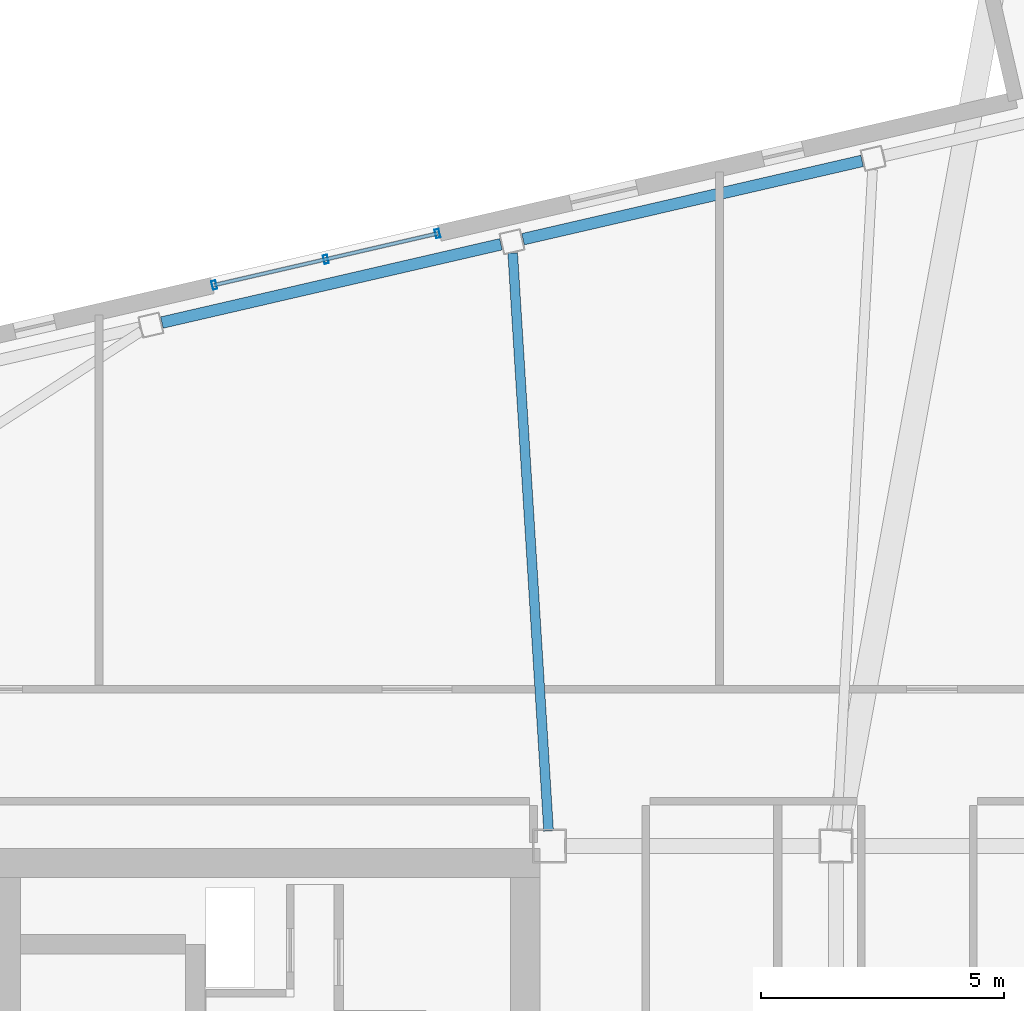
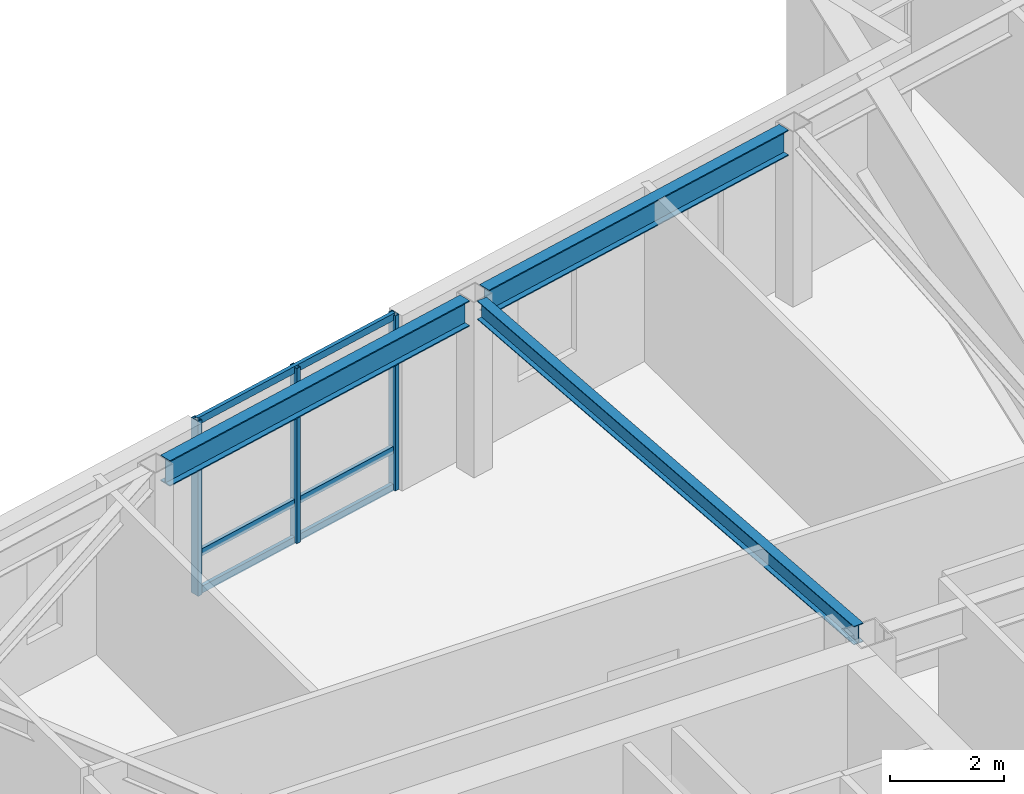
# One storey, part 13 of 24: 6 members, 3 beams, 1 element without a shape of its own.
"""IFC4 building model written with IfcOpenShell, lengths in metres."""

from ifc_helpers import new_model, si_unit, direction, frame, origin, origin_2d, place, context, subcontext, project, spatial, hollow_rectangle, i_section, extrude, material, layer, layer_set, material_profile, profile_set, type_object, element, aggregate, save


model = new_model("IFC4")

# Units and contexts
model_context = context("Model", 3, precision=1e-05, world=origin(), true_north=direction((0.0, 1.0)))
body_context = subcontext(model_context, "Body", "Model", "MODEL_VIEW")
ifc_project = project(units=[si_unit("LENGTHUNIT", "METRE"), si_unit("AREAUNIT", "SQUARE_METRE"), si_unit("VOLUMEUNIT", "CUBIC_METRE"), si_unit("PLANEANGLEUNIT", "RADIAN"), si_unit("MASSUNIT", "GRAM", prefix="KILO")], contexts=[model_context])

# Site, building, storey
site_placement = place(None, origin())
site = spatial("IfcSite", under=ifc_project, at=site_placement, CompositionType="ELEMENT")
building_placement = place(site_placement, origin())
building = spatial("IfcBuilding", under=site, at=building_placement, Name="Tavrogorsk Clinical Tower", CompositionType="ELEMENT")
storey_placement = place(building_placement, frame((0.0, 0.0, 309.0)))
storey = spatial("IfcBuildingStorey", under=building, at=storey_placement, Name="L72", CompositionType="ELEMENT", Elevation=309.0)

# Curtain wall, members
ifc_material_1 = material(Name="Anodised aluminium and triple IGU glazing", Category="aluminium")
ifc_layer = layer(ifc_material_1, 0.179931640625)
ifc_layer_set = layer_set([ifc_layer], Name="Anodised aluminium and triple IGU glazing")
curtain_wall_type = type_object("IfcCurtainWallType", Name="CW2_NorthSlot", PredefinedType="NOTDEFINED", material=ifc_layer_set)
curtain_wall_placement = place(storey_placement, origin())
curtain_wall = element("IfcCurtainWall", 1, at=curtain_wall_placement, inside=storey, type_object=curtain_wall_type, Name="L72 Curtain Wall CW-L72-N-SLOT-1", PredefinedType="NOTDEFINED")
ifc_material_2 = material(Name="Anodised aluminium alloy AW-6060", Category="aluminium")
ifc_material_profile_1 = material_profile(ifc_material_2, hollow_rectangle(XDim=0.090087890625, YDim=0.179931640625, WallThickness=0.00634765625, at=origin_2d()), Name="RHS-180x90x6.3")
ifc_profile_set_1 = profile_set([ifc_material_profile_1], Name="Anodised aluminium alloy AW-6060")
member_type_1 = type_object("IfcMemberType", Name="CwMullion_180x90", PredefinedType="MULLION", material=ifc_profile_set_1)
member_1_placement = place(storey_placement, frame((-12.608154296875, 18.9658203125, 0.0), z_axis=(0.0, 0.0, 1.0), x_axis=(-0.974370057377, -0.224951086434, 0.0)))
member_1 = element("IfcMember", 2, at=member_1_placement, type_object=member_type_1, Name="CW-L72-N-SLOT-1 Mullion 1", PredefinedType="MULLION", context=body_context, shape_type="SweptSolid", body=[
    extrude(hollow_rectangle(XDim=0.090087890625, YDim=0.179931640625, WallThickness=0.00634765625, at=origin_2d()), origin(), (0.0, 0.0, 1.0), 3.739990234375),
])
member_2_placement = place(storey_placement, frame((-14.90673828125, 18.435302734375, 0.0), z_axis=(0.0, 0.0, 1.0), x_axis=(-0.974370057377, -0.224951086434, 0.0)))
member_2 = element("IfcMember", 3, at=member_2_placement, type_object=member_type_1, Name="CW-L72-N-SLOT-1 Mullion 2", PredefinedType="MULLION", context=body_context, shape_type="SweptSolid", body=[
    extrude(hollow_rectangle(XDim=0.090087890625, YDim=0.179931640625, WallThickness=0.00634765625, at=origin_2d()), origin(), (0.0, 0.0, 1.0), 3.739990234375),
])
member_3_placement = place(storey_placement, frame((-17.205322265625, 17.904541015625, 0.0), z_axis=(0.0, 0.0, 1.0), x_axis=(-0.974370057377, -0.224951086434, 0.0)))
member_3 = element("IfcMember", 4, at=member_3_placement, type_object=member_type_1, Name="CW-L72-N-SLOT-1 Mullion 3", PredefinedType="MULLION", context=body_context, shape_type="SweptSolid", body=[
    extrude(hollow_rectangle(XDim=0.090087890625, YDim=0.179931640625, WallThickness=0.00634765625, at=origin_2d()), origin(), (0.0, 0.0, 1.0), 3.739990234375),
])
ifc_material_3 = material(Name="Anodised aluminium alloy AW-6060", Category="aluminium")
ifc_material_profile_2 = material_profile(ifc_material_3, hollow_rectangle(XDim=0.074951171875, YDim=0.14990234375, WallThickness=0.0048828125, at=origin_2d()), Name="RHS-150x75x5")
ifc_profile_set_2 = profile_set([ifc_material_profile_2], Name="Anodised aluminium alloy AW-6060")
member_type_2 = type_object("IfcMemberType", Name="CwTransom_150x75", PredefinedType="USERDEFINED", material=ifc_profile_set_2)
member_4_placement = place(storey_placement, frame((-12.608154296875, 18.9658203125, 0.050048828125), z_axis=(-0.974372877948, -0.22493886885, 0.0), x_axis=(0.22493886885, -0.974372877948, 0.0)))
member_4 = element("IfcMember", 5, at=member_4_placement, type_object=member_type_2, Name="CW-L72-N-SLOT-1 Transom 1", ObjectType="TRANSOM", PredefinedType="USERDEFINED", context=body_context, shape_type="SweptSolid", body=[
    extrude(hollow_rectangle(XDim=0.074951171875, YDim=0.14990234375, WallThickness=0.0048828125, at=origin_2d()), origin(), (0.0, 0.0, 1.0), 4.718017578125),
])
member_5_placement = place(storey_placement, frame((-12.608154296875, 18.9658203125, 0.85009765625), z_axis=(-0.974372877948, -0.22493886885, 0.0), x_axis=(0.22493886885, -0.974372877948, 0.0)))
member_5 = element("IfcMember", 6, at=member_5_placement, type_object=member_type_2, Name="CW-L72-N-SLOT-1 Transom 2", ObjectType="TRANSOM", PredefinedType="USERDEFINED", context=body_context, shape_type="SweptSolid", body=[
    extrude(hollow_rectangle(XDim=0.074951171875, YDim=0.14990234375, WallThickness=0.0048828125, at=origin_2d()), origin(), (0.0, 0.0, 1.0), 4.718017578125),
])
member_6_placement = place(storey_placement, frame((-12.608154296875, 18.9658203125, 3.68994140625), z_axis=(-0.974372877948, -0.22493886885, 0.0), x_axis=(0.22493886885, -0.974372877948, 0.0)))
member_6 = element("IfcMember", 7, at=member_6_placement, type_object=member_type_2, Name="CW-L72-N-SLOT-1 Transom 3", ObjectType="TRANSOM", PredefinedType="USERDEFINED", context=body_context, shape_type="SweptSolid", body=[
    extrude(hollow_rectangle(XDim=0.074951171875, YDim=0.14990234375, WallThickness=0.0048828125, at=origin_2d()), origin(), (0.0, 0.0, 1.0), 4.718017578125),
])
aggregate(curtain_wall, [member_1, member_2, member_3, member_4, member_5, member_6])

# Beams
ifc_material_4 = material(Name="Structural steel S355", Category="steel")
ifc_material_profile_3 = material_profile(ifc_material_4, i_section(OverallWidth=0.199951171875, OverallDepth=0.39990234375, WebThickness=0.010498046875, FlangeThickness=0.01611328125, at=origin_2d()), Name="B-400x200x10.5x16")
ifc_profile_set_3 = profile_set([ifc_material_profile_3], Name="Structural steel S355")
beam_type_1 = type_object("IfcBeamType", Name="FloorBeam_B400", PredefinedType="BEAM", material=ifc_profile_set_3)
beam_placement = place(storey_placement, frame((-10.319091796875, 6.659423828125, 3.5400390625), z_axis=(-0.06197688672, 0.998077584916, 0.0), x_axis=(-0.998077584916, -0.06197688672, 0.0)))
element("IfcBeam", 8, at=beam_placement, inside=storey, type_object=beam_type_1, Name="L72 Radial Floor Beam N5", PredefinedType="BEAM", context=body_context, shape_type="SweptSolid", body=[
    extrude(i_section(OverallWidth=0.199951171875, OverallDepth=0.39990234375, WebThickness=0.010498046875, FlangeThickness=0.01611328125, at=origin_2d()), origin(), (0.0, 0.0, 1.0), 11.927978515625),
])
ifc_material_5 = material(Name="Structural steel S390", Category="steel")
ifc_material_profile_4 = material_profile(ifc_material_5, i_section(OverallWidth=0.239990234375, OverallDepth=0.550048828125, WebThickness=0.013916015625, FlangeThickness=0.02197265625, at=origin_2d()), Name="B-550x240x14x22")
ifc_profile_set_4 = profile_set([ifc_material_profile_4], Name="Structural steel S390")
beam_type_2 = type_object("IfcBeamType", Name="SpandrelBeam_B550", PredefinedType="SPANDREL", material=ifc_profile_set_4)
for number, where, z_axis, x_axis, name in (
    (9, (-3.861328125, 20.4619140625, 3.465087890625), (-0.974367655018, -0.224961491939, 0.0), (0.224961491939, -0.974367655018, 0.0), "L72 Perimeter Spandrel N4-N5"),
    (10, (-11.2998046875, 18.74462890625, 3.465087890625), (-0.974367655018, -0.224961491939, 0.0), (0.224961491939, -0.974367655018, 0.0), "L72 Perimeter Spandrel N5-N6"),
):
    element("IfcBeam", number, at=place(storey_placement, frame(where, z_axis=z_axis, x_axis=x_axis)), inside=storey, type_object=beam_type_2, Name=name, PredefinedType="SPANDREL", context=body_context, shape_type="SweptSolid", body=[
        extrude(i_section(OverallWidth=0.239990234375, OverallDepth=0.550048828125, WebThickness=0.013916015625, FlangeThickness=0.02197265625, at=origin_2d()), origin(), (0.0, 0.0, 1.0), 7.168212890625),
    ])

save(model, "model.ifc")
